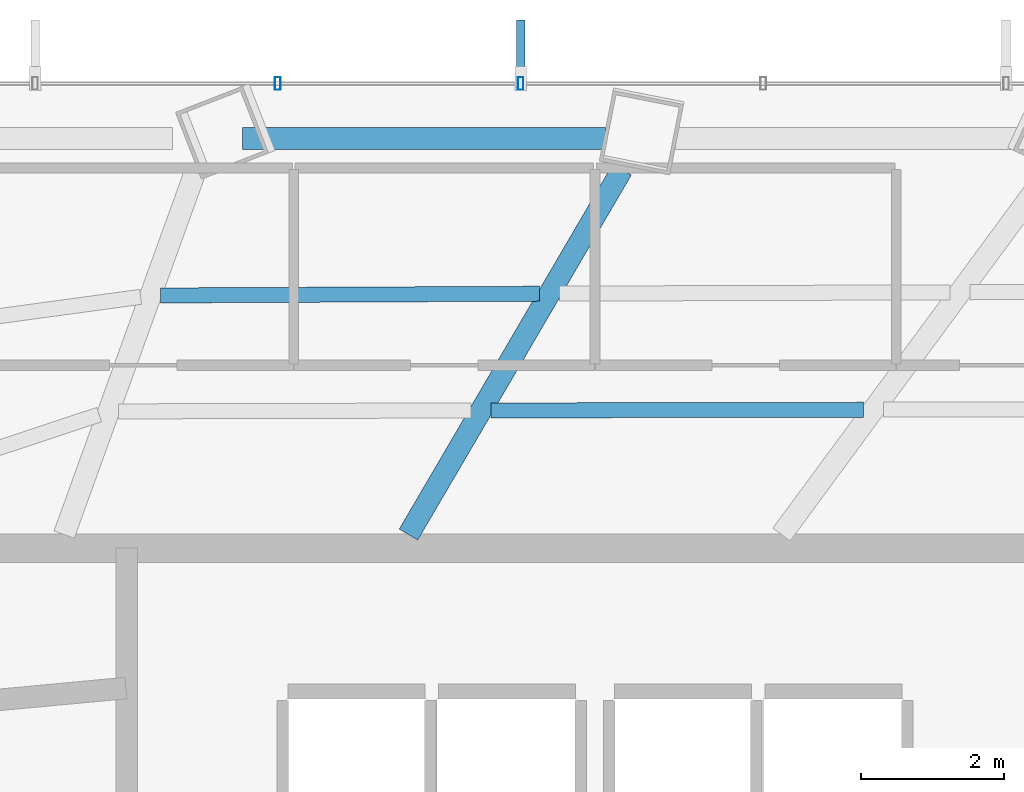
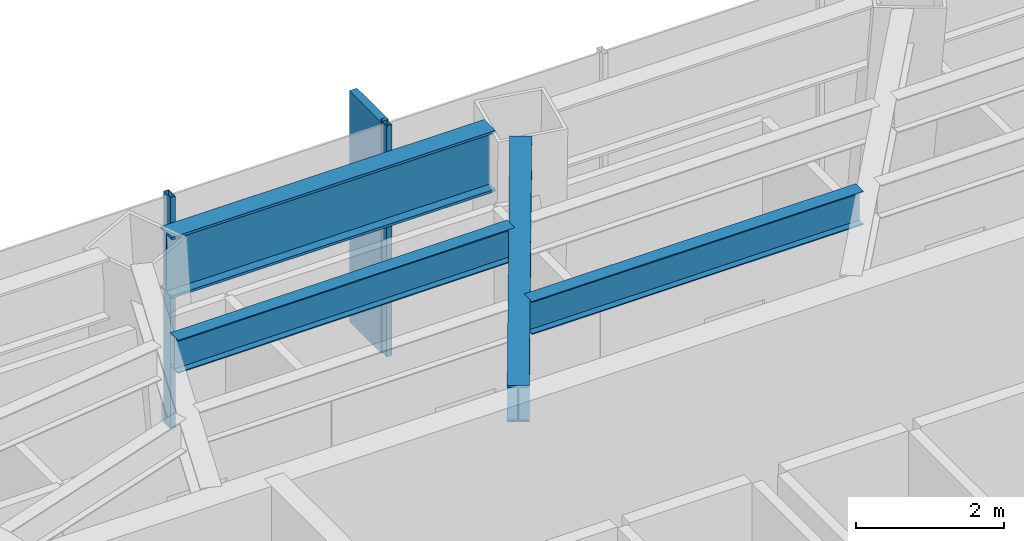
# One storey, part 14 of 26: 4 beams, 3 members, 1 element without a shape of its own.
"""IFC4 building model written with IfcOpenShell, lengths in metres."""

from ifc_helpers import new_model, si_unit, direction, frame, origin, origin_2d, place, context, subcontext, project, spatial, rectangle, hollow_rectangle, i_section, extrude, material, layer, layer_set, material_profile, profile_set, type_object, element, aggregate, save


model = new_model("IFC4")

# Units and contexts
model_context = context("Model", 3, precision=1e-05, world=origin(), true_north=direction((0.0, 1.0)))
body_context = subcontext(model_context, "Body", "Model", "MODEL_VIEW")
ifc_project = project(units=[si_unit("LENGTHUNIT", "METRE"), si_unit("AREAUNIT", "SQUARE_METRE"), si_unit("VOLUMEUNIT", "CUBIC_METRE"), si_unit("PLANEANGLEUNIT", "RADIAN"), si_unit("MASSUNIT", "GRAM", prefix="KILO")], contexts=[model_context])

# Site, building, storey
site_placement = place(None, origin())
site = spatial("IfcSite", under=ifc_project, at=site_placement, CompositionType="ELEMENT")
building_placement = place(site_placement, origin())
building = spatial("IfcBuilding", under=site, at=building_placement, Name="Zarrinselat Tower", CompositionType="ELEMENT")
storey_placement = place(building_placement, frame((0.0, 0.0, 60.179931640625)))
storey = spatial("IfcBuildingStorey", under=building, at=storey_placement, Name="L14", CompositionType="ELEMENT", Elevation=60.179931640625)

# Beams
ifc_material_1 = material(Name="Steel S355J2", Category="steel")
ifc_material_profile_1 = material_profile(ifc_material_1, i_section(OverallWidth=0.300048828125, OverallDepth=0.60009765625, WebThickness=0.015380859375, FlangeThickness=0.030029296875, at=origin_2d()), Name="HEB 600")
ifc_profile_set_1 = profile_set([ifc_material_profile_1], Name="Steel S355J2")
beam_type_1 = type_object("IfcBeamType", Name="BM-HEB600", PredefinedType="BEAM", material=ifc_profile_set_1)
beam_1_placement = place(storey_placement, frame((35.800048828125, 43.639892578125, 3.52001953125), z_axis=(0.505085911468, 0.863069071417, 0.0), x_axis=(-0.863069071417, 0.505085911468, 0.0)))
element("IfcBeam", 1, at=beam_1_placement, inside=storey, type_object=beam_type_1, Name="L14 Radial Primary Girder RG03", PredefinedType="BEAM", context=body_context, shape_type="SweptSolid", body=[
    extrude(i_section(OverallWidth=0.300048828125, OverallDepth=0.60009765625, WebThickness=0.015380859375, FlangeThickness=0.030029296875, at=origin_2d()), origin(), (0.0, 0.0, 1.0), 5.89501953125),
])
ifc_material_2 = material(Name="Steel S460M", Category="steel")
ifc_material_profile_2 = material_profile(ifc_material_2, i_section(OverallWidth=0.302001953125, OverallDepth=1.008056640625, WebThickness=0.02099609375, FlangeThickness=0.0400390625, at=origin_2d()), Name="HEM 1000")
ifc_profile_set_2 = profile_set([ifc_material_profile_2], Name="Steel S460M")
beam_type_2 = type_object("IfcBeamType", Name="BM-HEM1000", PredefinedType="BEAM", material=ifc_profile_set_2)
beam_2_placement = place(storey_placement, frame((33.4833984375, 49.1611328125, 3.316162109375), z_axis=(1.0, 0.0, 0.0), x_axis=(0.0, 1.0, 0.0)))
element("IfcBeam", 2, at=beam_2_placement, inside=storey, type_object=beam_type_2, Name="L14 Perimeter Spandrel Girder SP03", PredefinedType="BEAM", context=body_context, shape_type="SweptSolid", body=[
    extrude(i_section(OverallWidth=0.302001953125, OverallDepth=1.008056640625, WebThickness=0.02099609375, FlangeThickness=0.0400390625, at=origin_2d()), origin(), (0.0, 0.0, 1.0), 5.059814453125),
])
ifc_material_3 = material(Name="Steel S355J2", Category="steel")
ifc_material_profile_3 = material_profile(ifc_material_3, i_section(OverallWidth=0.2099609375, OverallDepth=0.550048828125, WebThickness=0.010986328125, FlangeThickness=0.01708984375, at=origin_2d()), Name="IPE 550")
ifc_profile_set_3 = profile_set([ifc_material_profile_3], Name="Steel S355J2")
beam_type_3 = type_object("IfcBeamType", Name="BM-IPE550", PredefinedType="JOIST", material=ifc_profile_set_3)
beam_3_placement = place(storey_placement, frame((36.952392578125, 45.3701171875, 3.545166015625), z_axis=(0.999998401863, 0.001787811775, 0.0), x_axis=(-0.001787811775, 0.999998401863, 0.0)))
element("IfcBeam", 3, at=beam_3_placement, inside=storey, type_object=beam_type_3, Name="L14 Composite Floor Joist 8-2", PredefinedType="JOIST", context=body_context, shape_type="SweptSolid", body=[
    extrude(i_section(OverallWidth=0.2099609375, OverallDepth=0.550048828125, WebThickness=0.010986328125, FlangeThickness=0.01708984375, at=origin_2d()), origin(), (0.0, 0.0, 1.0), 5.189208984375),
])
beam_4_placement = place(storey_placement, frame((32.344482421875, 46.972900390625, 3.545166015625), z_axis=(0.999989313143, 0.004623159099, 0.0), x_axis=(-0.004623159099, 0.999989313143, 0.0)))
element("IfcBeam", 4, at=beam_4_placement, inside=storey, type_object=beam_type_3, Name="L14 Composite Floor Joist 9-1", PredefinedType="JOIST", context=body_context, shape_type="SweptSolid", body=[
    extrude(i_section(OverallWidth=0.2099609375, OverallDepth=0.550048828125, WebThickness=0.010986328125, FlangeThickness=0.01708984375, at=origin_2d()), origin(), (0.0, 0.0, 1.0), 5.28076171875),
])

# Curtain wall, members
ifc_material_4 = material(Name="Extruded Aluminium Alloy EN AW-6063 T6", Category="aluminium")
ifc_layer = layer(ifc_material_4, 0.18505859375)
ifc_layer_set = layer_set([ifc_layer], Name="Extruded Aluminium Alloy EN AW-6063 T6")
curtain_wall_type = type_object("IfcCurtainWallType", Name="CWS-OFF", PredefinedType="NOTDEFINED", material=ifc_layer_set)
curtain_wall_placement = place(storey_placement, origin())
curtain_wall = element("IfcCurtainWall", 5, at=curtain_wall_placement, inside=storey, type_object=curtain_wall_type, Name="L14 Unitised Curtain Wall CW-L14-E01", PredefinedType="NOTDEFINED")
ifc_material_5 = material(Name="Extruded Aluminium Alloy EN AW-6063 T6", Category="aluminium")
ifc_material_profile_4 = material_profile(ifc_material_5, hollow_rectangle(XDim=0.080078125, YDim=0.179931640625, WallThickness=0.0048828125, at=origin_2d()), Name="RHS 180x80x5")
ifc_profile_set_4 = profile_set([ifc_material_profile_4], Name="Extruded Aluminium Alloy EN AW-6063 T6")
member_type_1 = type_object("IfcMemberType", Name="MEM-CW-MUL", PredefinedType="MULLION", material=ifc_profile_set_4)
member_1_placement = place(storey_placement, frame((37.362548828125, 49.927734375, 0.0), z_axis=(0.0, 0.0, 1.0), x_axis=(-1.0, 0.0, 0.0)))
member_1 = element("IfcMember", 6, at=member_1_placement, type_object=member_type_1, Name="CW-L14-E01 Mullion 5", PredefinedType="MULLION", context=body_context, shape_type="SweptSolid", body=[
    extrude(hollow_rectangle(XDim=0.080078125, YDim=0.179931640625, WallThickness=0.0048828125, at=origin_2d()), origin(), (0.0, 0.0, 1.0), 3.820068359375),
])
member_2_placement = place(storey_placement, frame((33.978759765625, 49.927734375, 0.0), z_axis=(0.0, 0.0, 1.0), x_axis=(-1.0, 0.0, 0.0)))
member_2 = element("IfcMember", 7, at=member_2_placement, type_object=member_type_1, Name="CW-L14-E01 Mullion 6", PredefinedType="MULLION", context=body_context, shape_type="SweptSolid", body=[
    extrude(hollow_rectangle(XDim=0.080078125, YDim=0.179931640625, WallThickness=0.0048828125, at=origin_2d()), origin(), (0.0, 0.0, 1.0), 3.820068359375),
])
ifc_material_6 = material(Name="Honed Cream Travertine Stone", Category="masonry")
ifc_material_profile_5 = material_profile(ifc_material_6, rectangle(XDim=0.1201171875, YDim=0.85009765625, at=origin_2d()), Name="FIN 850x120")
ifc_profile_set_5 = profile_set([ifc_material_profile_5], Name="Honed Cream Travertine Stone")
member_type_2 = type_object("IfcMemberType", Name="MEM-STONE-FIN", PredefinedType="USERDEFINED", material=ifc_profile_set_5)
member_3_placement = place(storey_placement, frame((37.362548828125, 50.3876953125, 0.0), z_axis=(0.0, 0.0, 1.0), x_axis=(1.0, 0.0, 0.0)))
member_3 = element("IfcMember", 8, at=member_3_placement, type_object=member_type_2, Name="L14 Stone Shading Fin CW-L14-E01-05", ObjectType="FIN", PredefinedType="USERDEFINED", context=body_context, shape_type="SweptSolid", body=[
    extrude(rectangle(XDim=0.1201171875, YDim=0.85009765625, at=origin_2d()), origin(), (0.0, 0.0, 1.0), 3.820068359375),
])
aggregate(curtain_wall, [member_1, member_3, member_2])

save(model, "model.ifc")
